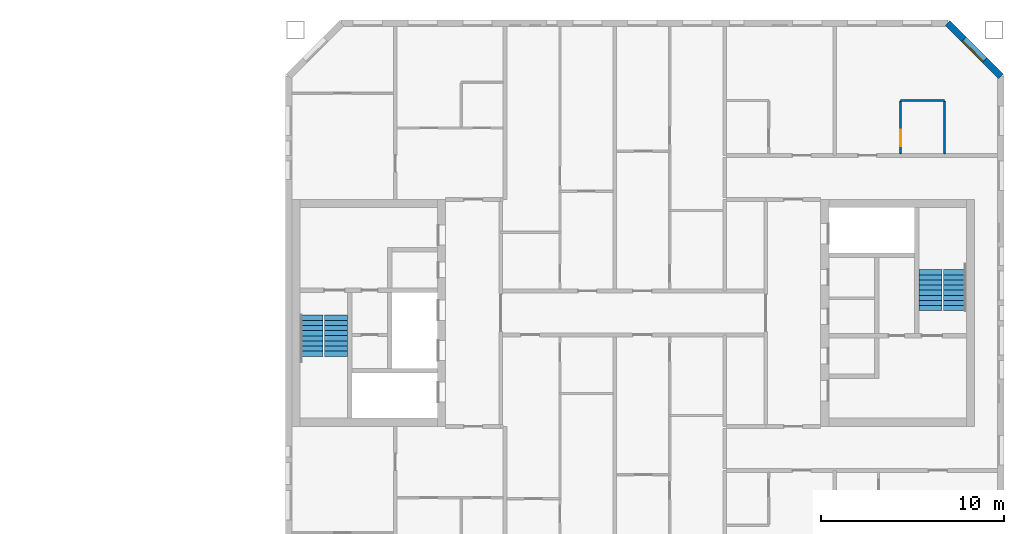
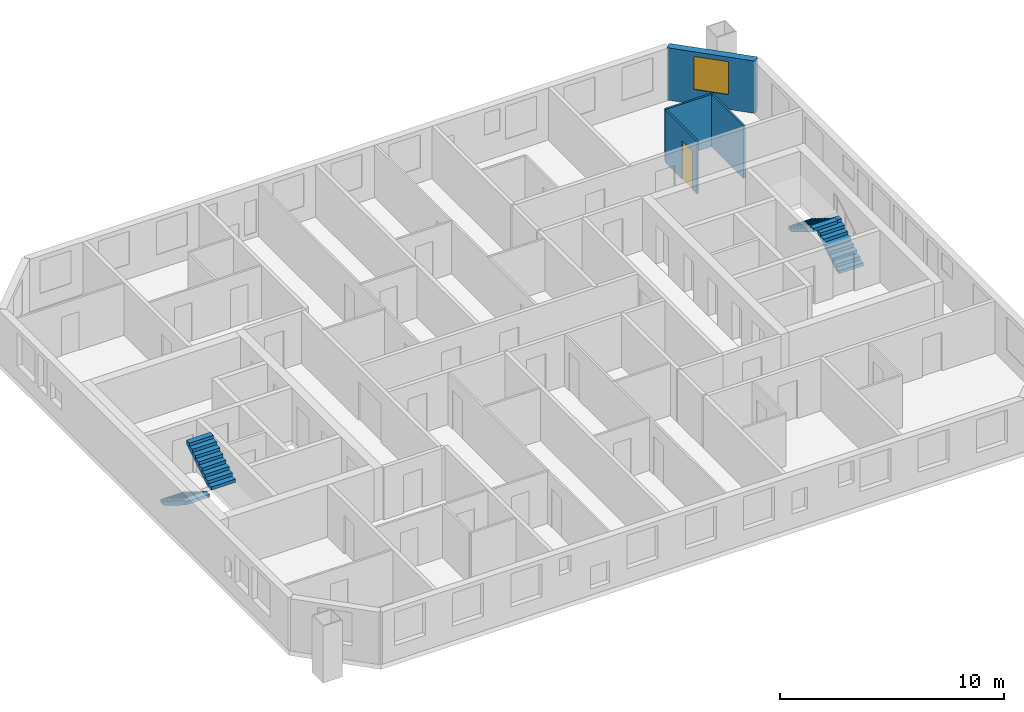
# One storey, part 13 of 15: 4 stair flights, 4 walls, 1 door, 1 window, 2 openings, 2 elements without a shape of their own.
"""IFC4 building model written with IfcOpenShell, lengths in metres."""

from ifc_helpers import new_model, si_unit, direction, frame, frame_2d, origin, place, context, subcontext, project, spatial, polyline, rectangle, outline, extrude, material, layer, layer_set, type_object, element, fill, aggregate, save


model = new_model("IFC4")

# Units and contexts
model_context = context("Model", 3, precision=1e-05, world=origin(), true_north=direction((0.0, 1.0)))
body_context = subcontext(model_context, "Body", "Model", "MODEL_VIEW")
ifc_project = project(units=[si_unit("LENGTHUNIT", "METRE"), si_unit("AREAUNIT", "SQUARE_METRE"), si_unit("VOLUMEUNIT", "CUBIC_METRE"), si_unit("PLANEANGLEUNIT", "RADIAN"), si_unit("MASSUNIT", "GRAM", prefix="KILO")], contexts=[model_context])

# Site, building, storey
site_placement = place(None, origin())
site = spatial("IfcSite", under=ifc_project, at=site_placement, CompositionType="ELEMENT")
building_placement = place(site_placement, origin())
building = spatial("IfcBuilding", under=site, at=building_placement, Name="Tuart Gate Housing", CompositionType="ELEMENT")
storey_placement = place(building_placement, frame((0.0, 0.0, 185.10009765625)))
storey = spatial("IfcBuildingStorey", under=building, at=storey_placement, Name="L52", CompositionType="ELEMENT", Elevation=185.10009765625)

# Wall, opening, window
ifc_material_1 = material(Name="Brick", Category="masonry")
ifc_layer_1 = layer(ifc_material_1, 0.360107421875)
ifc_layer_set_1 = layer_set([ifc_layer_1], Name="Brick pier and spandrel wall 360")
wall_type_1 = type_object("IfcWallType", Name="Brick pier and spandrel wall 360", PredefinedType="STANDARD", material=ifc_layer_set_1)
wall_1_placement = place(storey_placement, frame((170.070068359375, 82.92529296875, 0.0), z_axis=(0.0, 0.0, 1.0), x_axis=(-0.707106781187, 0.707106781187, 0.0)))
wall_1 = element("IfcWall", 1, at=wall_1_placement, inside=storey, type_object=wall_type_1, Name="External wall B-NE L52", PredefinedType="STANDARD", context=body_context, shape_type="SweptSolid", body=[
    extrude(rectangle(XDim=4.09375, YDim=0.360107421875, at=frame_2d((2.046875, 0.0))), origin(), (0.0, 0.0, 1.0), 2.849853515625),
])
opening_1_placement = place(wall_1_placement, frame((1.2470703125, 0.0, 0.800048828125)))
opening_1 = element("IfcOpeningElement", 2, at=opening_1_placement, cuts=wall_1, Name="Opening W1", PredefinedType="OPENING", context=body_context, shape_type="SweptSolid", body=[
    extrude(rectangle(XDim=1.60009765625, YDim=1.800048828125, at=frame_2d((0.800048828125, 0.89990234375))), frame((0.0, 0.18994140625, 0.0), z_axis=(0.0, -1.0, 0.0), x_axis=(1.0, 0.0, 0.0)), (0.0, 0.0, 1.0), 0.380126953125),
])
ifc_material_2 = material(Name="Aluminium frame with clear glass", Category="aluminium")
window_type = type_object("IfcWindowType", Name="Punched window 1600 x 1800", PartitioningType="SINGLE_PANEL", PredefinedType="WINDOW", material=ifc_material_2)
window_placement = place(opening_1_placement, origin())
window = element("IfcWindow", 3, at=window_placement, inside=storey, type_object=window_type, Name="Window W1", OverallHeight=1.800048828125, OverallWidth=1.60009765625, PartitioningType="SINGLE_PANEL", PredefinedType="WINDOW", context=body_context, shape_type="SweptSolid", body=[
    extrude(rectangle(XDim=1.60009765625, YDim=1.800048828125, at=frame_2d((0.800048828125, 0.89990234375))), frame((0.0, 0.150146484375, 0.0), z_axis=(0.0, -1.0, 0.0), x_axis=(1.0, 0.0, 0.0)), (0.0, 0.0, 1.0), 0.06005859375),
])
fill(opening_1, window)

# Wall
ifc_material_3 = material(Name="Gypsum board on steel studs", Category="steel")
ifc_layer_2 = layer(ifc_material_3, 0.10009765625)
ifc_layer_set_2 = layer_set([ifc_layer_2], Name="Partition 100")
wall_type_2 = type_object("IfcWallType", Name="Partition 100", PredefinedType="PARTITIONING", material=ifc_layer_set_2)
wall_2_placement = place(storey_placement, frame((164.60009765625, 81.60009765625, 0.0), z_axis=(0.0, 0.0, 1.0), x_axis=(1.0, 0.0, 0.0)))
element("IfcWall", 4, at=wall_2_placement, inside=storey, type_object=wall_type_2, Name="Partition 100", PredefinedType="PARTITIONING", context=body_context, shape_type="SweptSolid", body=[
    extrude(rectangle(XDim=2.39990234375, YDim=0.10009765625, at=frame_2d((1.199951171875, 0.0))), origin(), (0.0, 0.0, 1.0), 2.849853515625),
])

# Wall, opening, door
wall_3_placement = place(storey_placement, frame((164.60009765625, 78.699951171875, 0.0), z_axis=(0.0, 0.0, 1.0), x_axis=(0.0, 1.0, 0.0)))
wall_3 = element("IfcWall", 5, at=wall_3_placement, inside=storey, type_object=wall_type_2, Name="Partition 100", PredefinedType="PARTITIONING", context=body_context, shape_type="SweptSolid", body=[
    extrude(rectangle(XDim=2.85009765625, YDim=0.10009765625, at=frame_2d((1.425048828125, 0.0))), origin(), (0.0, 0.0, 1.0), 2.849853515625),
])
opening_2_placement = place(wall_3_placement, frame((0.39990234375, 0.0, 0.0)))
opening_2 = element("IfcOpeningElement", 6, at=opening_2_placement, cuts=wall_3, Name="Opening D1900", PredefinedType="OPENING", context=body_context, shape_type="SweptSolid", body=[
    extrude(rectangle(XDim=0.89990234375, YDim=2.10009765625, at=frame_2d((0.449951171875, 1.050048828125))), frame((0.0, 0.06005859375, 0.0), z_axis=(0.0, -1.0, 0.0), x_axis=(1.0, 0.0, 0.0)), (0.0, 0.0, 1.0), 0.1201171875),
])
ifc_material_4 = material(Name="Timber door leaf in steel frame", Category="steel")
door_type = type_object("IfcDoorType", Name="Bathroom door 900 RH", OperationType="SINGLE_SWING_RIGHT", PredefinedType="DOOR", material=ifc_material_4)
door_placement = place(opening_2_placement, frame((0.89990234375, 0.0, 0.0), z_axis=(0.0, 0.0, 1.0), x_axis=(-1.0, 0.0, 0.0)))
door = element("IfcDoor", 7, at=door_placement, inside=storey, type_object=door_type, Name="Bathroom door", OperationType="SINGLE_SWING_RIGHT", OverallHeight=2.10009765625, OverallWidth=0.89990234375, PredefinedType="DOOR", context=body_context, shape_type="SweptSolid", body=[
    extrude(rectangle(XDim=0.89990234375, YDim=2.10009765625, at=frame_2d((0.449951171875, 1.050048828125))), frame((0.0, 0.025146484375, 0.0), z_axis=(0.0, -1.0, 0.0), x_axis=(1.0, 0.0, 0.0)), (0.0, 0.0, 1.0), 0.050048828125),
])
fill(opening_2, door)

# Wall
wall_4_placement = place(storey_placement, frame((167.0, 78.699951171875, 0.0), z_axis=(0.0, 0.0, 1.0), x_axis=(0.0, 1.0, 0.0)))
element("IfcWall", 8, at=wall_4_placement, inside=storey, type_object=wall_type_2, Name="Partition 100", PredefinedType="PARTITIONING", context=body_context, shape_type="SweptSolid", body=[
    extrude(rectangle(XDim=2.85009765625, YDim=0.10009765625, at=frame_2d((1.425048828125, 0.0))), origin(), (0.0, 0.0, 1.0), 2.849853515625),
])

# Stair, stair flights
ifc_material_5 = material(Name="Concrete C40", Category="concrete")
stair_type = type_object("IfcStairType", Name="Core stair 1250", PredefinedType="HALF_TURN_STAIR", material=ifc_material_5)
stair_1_placement = place(storey_placement, origin())
stair_1 = element("IfcStair", 9, at=stair_1_placement, inside=storey, type_object=stair_type, Name="Stair SB1", PredefinedType="HALF_TURN_STAIR")
ifc_material_6 = material(Name="Concrete C40", Category="concrete")
stair_flight_type = type_object("IfcStairFlightType", Name="Stair flight 1250, 9 risers 172 x 280", PredefinedType="STRAIGHT", material=ifc_material_6)
stair_flight_1_placement = place(storey_placement, frame((132.43505859375, 69.875, 0.0), z_axis=(0.0, 0.0, 1.0), x_axis=(0.0, -1.0, 0.0)))
stair_flight_1 = element("IfcStairFlight", 10, at=stair_flight_1_placement, type_object=stair_flight_type, Name="SB1 flight 1", NumberOfRisers=9, NumberOfTreads=8, PredefinedType="STRAIGHT", RiserHeight=0.172222222, TreadLength=0.28, context=body_context, shape_type="SweptSolid", body=[
    extrude(outline(polyline([(0.0, 0.0), (0.0, 0.172119140625), (0.280029296875, 0.172119140625), (0.280029296875, 0.344482421875), (0.56005859375, 0.344482421875), (0.56005859375, 0.5166015625), (0.840087890625, 0.5166015625), (0.840087890625, 0.68896484375), (1.1201171875, 0.68896484375), (1.1201171875, 0.861083984375), (1.39990234375, 0.861083984375), (1.39990234375, 1.033447265625), (1.679931640625, 1.033447265625), (1.679931640625, 1.20556640625), (1.9599609375, 1.20556640625), (1.9599609375, 1.377685546875), (2.239990234375, 1.377685546875), (2.239990234375, 1.550048828125), (2.239990234375, 1.201904296875), (0.2861328125, 0.0), (0.0, 0.0)])), frame((0.0, 0.625, 0.0), z_axis=(0.0, -1.0, 0.0), x_axis=(1.0, 0.0, 0.0)), (0.0, 0.0, 1.0), 1.25),
])
stair_flight_2_placement = place(storey_placement, frame((133.760009765625, 67.635009765625, 1.5498046875), z_axis=(0.0, 0.0, 1.0), x_axis=(0.0, 1.0, 0.0)))
stair_flight_2 = element("IfcStairFlight", 11, at=stair_flight_2_placement, type_object=stair_flight_type, Name="SB1 flight 2", NumberOfRisers=9, NumberOfTreads=8, PredefinedType="STRAIGHT", RiserHeight=0.172222222, TreadLength=0.28, context=body_context, shape_type="SweptSolid", body=[
    extrude(outline(polyline([(0.0, 0.0), (0.0, 0.172119140625), (0.280029296875, 0.172119140625), (0.280029296875, 0.344482421875), (0.56005859375, 0.344482421875), (0.56005859375, 0.5166015625), (0.840087890625, 0.5166015625), (0.840087890625, 0.68896484375), (1.1201171875, 0.68896484375), (1.1201171875, 0.861083984375), (1.39990234375, 0.861083984375), (1.39990234375, 1.033447265625), (1.679931640625, 1.033447265625), (1.679931640625, 1.20556640625), (1.9599609375, 1.20556640625), (1.9599609375, 1.377685546875), (2.239990234375, 1.377685546875), (2.239990234375, 1.550048828125), (2.239990234375, 1.201904296875), (0.2861328125, 0.0), (0.0, 0.0)])), frame((0.0, 0.625, 0.0), z_axis=(0.0, -1.0, 0.0), x_axis=(1.0, 0.0, 0.0)), (0.0, 0.0, 1.0), 1.25),
])
aggregate(stair_1, [stair_flight_1, stair_flight_2])

stair_2_placement = place(storey_placement, origin())
stair_2 = element("IfcStair", 12, at=stair_2_placement, inside=storey, type_object=stair_type, Name="Stair SB2", PredefinedType="HALF_TURN_STAIR")
stair_flight_3_placement = place(storey_placement, frame((167.56494140625, 70.125, 0.0), z_axis=(0.0, 0.0, 1.0), x_axis=(0.0, 1.0, 0.0)))
stair_flight_3 = element("IfcStairFlight", 13, at=stair_flight_3_placement, type_object=stair_flight_type, Name="SB2 flight 1", NumberOfRisers=9, NumberOfTreads=8, PredefinedType="STRAIGHT", RiserHeight=0.172222222, TreadLength=0.28, context=body_context, shape_type="SweptSolid", body=[
    extrude(outline(polyline([(0.0, 0.0), (0.0, 0.172119140625), (0.280029296875, 0.172119140625), (0.280029296875, 0.344482421875), (0.56005859375, 0.344482421875), (0.56005859375, 0.5166015625), (0.840087890625, 0.5166015625), (0.840087890625, 0.68896484375), (1.1201171875, 0.68896484375), (1.1201171875, 0.861083984375), (1.39990234375, 0.861083984375), (1.39990234375, 1.033447265625), (1.679931640625, 1.033447265625), (1.679931640625, 1.20556640625), (1.9599609375, 1.20556640625), (1.9599609375, 1.377685546875), (2.239990234375, 1.377685546875), (2.239990234375, 1.550048828125), (2.239990234375, 1.201904296875), (0.2861328125, 0.0), (0.0, 0.0)])), frame((0.0, 0.625, 0.0), z_axis=(0.0, -1.0, 0.0), x_axis=(1.0, 0.0, 0.0)), (0.0, 0.0, 1.0), 1.25),
])
stair_flight_4_placement = place(storey_placement, frame((166.239990234375, 72.364990234375, 1.5498046875), z_axis=(0.0, 0.0, 1.0), x_axis=(0.0, -1.0, 0.0)))
stair_flight_4 = element("IfcStairFlight", 14, at=stair_flight_4_placement, type_object=stair_flight_type, Name="SB2 flight 2", NumberOfRisers=9, NumberOfTreads=8, PredefinedType="STRAIGHT", RiserHeight=0.172222222, TreadLength=0.28, context=body_context, shape_type="SweptSolid", body=[
    extrude(outline(polyline([(0.0, 0.0), (0.0, 0.172119140625), (0.280029296875, 0.172119140625), (0.280029296875, 0.344482421875), (0.56005859375, 0.344482421875), (0.56005859375, 0.5166015625), (0.840087890625, 0.5166015625), (0.840087890625, 0.68896484375), (1.1201171875, 0.68896484375), (1.1201171875, 0.861083984375), (1.39990234375, 0.861083984375), (1.39990234375, 1.033447265625), (1.679931640625, 1.033447265625), (1.679931640625, 1.20556640625), (1.9599609375, 1.20556640625), (1.9599609375, 1.377685546875), (2.239990234375, 1.377685546875), (2.239990234375, 1.550048828125), (2.239990234375, 1.201904296875), (0.2861328125, 0.0), (0.0, 0.0)])), frame((0.0, 0.625, 0.0), z_axis=(0.0, -1.0, 0.0), x_axis=(1.0, 0.0, 0.0)), (0.0, 0.0, 1.0), 1.25),
])
aggregate(stair_2, [stair_flight_3, stair_flight_4])

save(model, "model.ifc")
